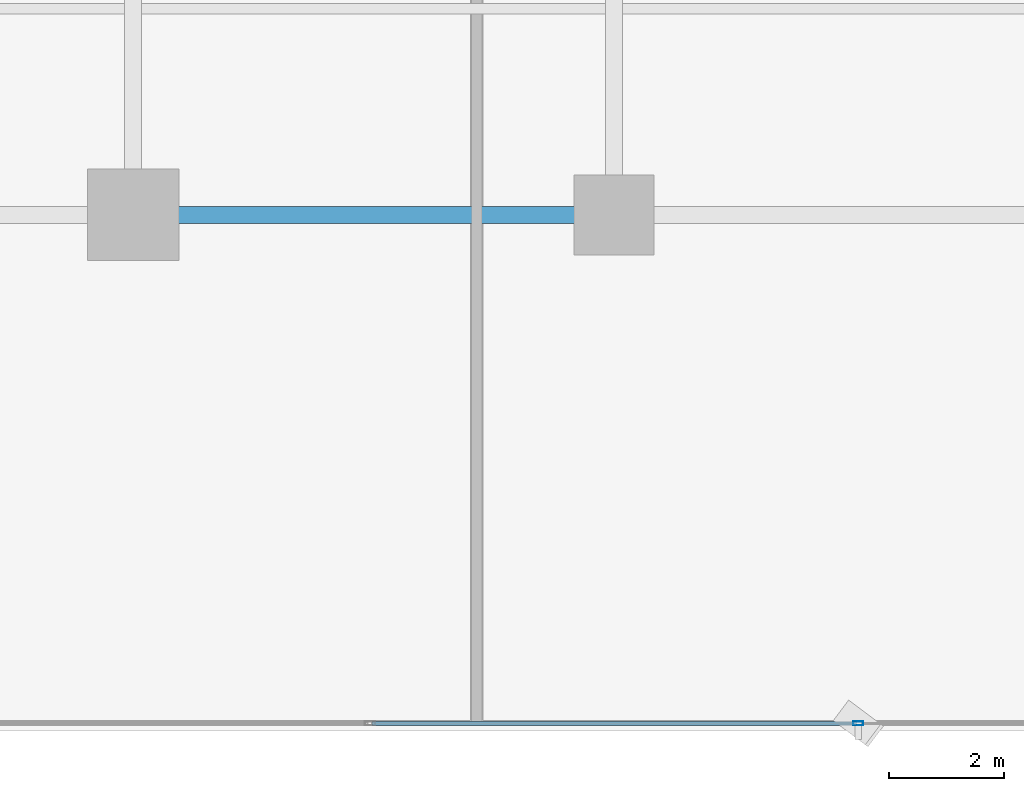
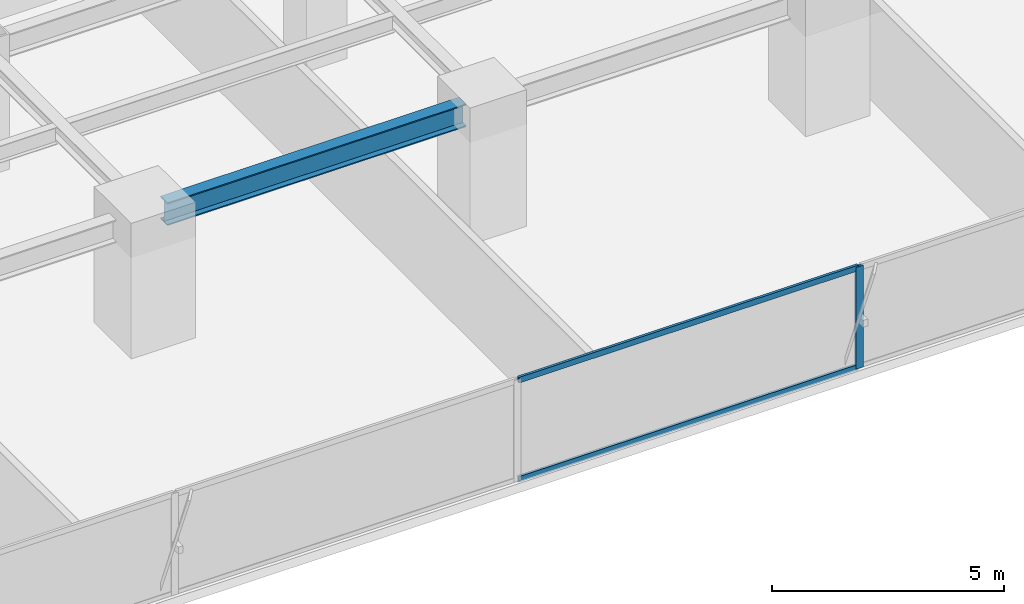
# One storey, part 5 of 33: 3 members, 1 beam, 1 element without a shape of its own.
"""IFC4 building model written with IfcOpenShell, lengths in metres."""

from ifc_helpers import new_model, si_unit, direction, frame, origin, origin_2d, place, context, subcontext, project, spatial, hollow_rectangle, i_section, extrude, source, transform, mapped, material, layer, layer_set, material_profile, profile_set, type_object, element, aggregate, save


model = new_model("IFC4")

# Units and contexts
model_context = context("Model", 3, precision=1e-05, world=origin(), true_north=direction((0.0, 1.0)))
body_context = subcontext(model_context, "Body", "Model", "MODEL_VIEW")
ifc_project = project(units=[si_unit("LENGTHUNIT", "METRE"), si_unit("AREAUNIT", "SQUARE_METRE"), si_unit("VOLUMEUNIT", "CUBIC_METRE"), si_unit("PLANEANGLEUNIT", "RADIAN"), si_unit("MASSUNIT", "GRAM", prefix="KILO")], contexts=[model_context])

# Site, building, storey
site_placement = place(None, origin())
site = spatial("IfcSite", under=ifc_project, at=site_placement, CompositionType="ELEMENT")
building_placement = place(site_placement, origin())
building = spatial("IfcBuilding", under=site, at=building_placement, Name="Sumidabori Civic Tower", CompositionType="ELEMENT")
storey_placement = place(building_placement, frame((0.0, 0.0, 66.800048828125)))
storey = spatial("IfcBuildingStorey", under=building, at=storey_placement, Name="L17", CompositionType="ELEMENT", Elevation=66.800048828125)

# Beam
ifc_material_1 = material(Name="Steel SN490", Category="steel")
ifc_material_profile_1 = material_profile(ifc_material_1, i_section(OverallWidth=0.300048828125, OverallDepth=0.60009765625, WebThickness=0.015380859375, FlangeThickness=0.030029296875, at=origin_2d()), Name="HE 600 B")
ifc_profile_set_1 = profile_set([ifc_material_profile_1], Name="Steel SN490")
beam_type = type_object("IfcBeamType", Name="BM-GIRD-600", PredefinedType="BEAM", material=ifc_profile_set_1)
shared_shape_1 = source(origin(), body_context, "Body", "SweptSolid", [
    extrude(i_section(OverallWidth=0.300048828125, OverallDepth=0.60009765625, WebThickness=0.015380859375, FlangeThickness=0.030029296875, at=origin_2d()), origin(), (0.0, 0.0, 1.0), 7.43994140625),
])
beam_placement = place(storey_placement, frame((-7.919921875, -18.0, 3.0), z_axis=(1.0, 0.0, 0.0), x_axis=(0.0, 1.0, 0.0)))
element("IfcBeam", 1, at=beam_placement, inside=storey, type_object=beam_type, Name="Primary Girder L17 GX-03", PredefinedType="BEAM", context=body_context, shape_type="MappedRepresentation", body=[
    mapped(shared_shape_1, transform((0.0, 0.0, 0.0), x_axis=(1.0, 0.0, 0.0), y_axis=(0.0, 1.0, 0.0), z_axis=(0.0, 0.0, 1.0), scale=1.0)),
])

# Curtain wall, members
ifc_material_2 = material(Name="Anodised Bronze Aluminium AW-6063-T6", Category="aluminium")
ifc_layer = layer(ifc_material_2, 0.179931640625, Name="Anodised Bronze Aluminium AW-6063-T6")
ifc_layer_set = layer_set([ifc_layer], Name="Anodised Bronze Aluminium AW-6063-T6")
curtain_wall_type = type_object("IfcCurtainWallType", Name="CW-SYS-2", PredefinedType="NOTDEFINED", material=ifc_layer_set)
curtain_wall_placement = place(storey_placement, origin())
curtain_wall = element("IfcCurtainWall", 2, at=curtain_wall_placement, inside=storey, type_object=curtain_wall_type, Name="Curtain Wall CW:L17:R01", PredefinedType="NOTDEFINED")
ifc_material_profile_2 = material_profile(ifc_material_2, hollow_rectangle(XDim=0.06494140625, YDim=0.14990234375, WallThickness=0.0048828125, at=origin_2d()), Name="ALU TRANSOM 150x65")
ifc_profile_set_2 = profile_set([ifc_material_profile_2], Name="Anodised Bronze Aluminium AW-6063-T6")
member_type_1 = type_object("IfcMemberType", Name="CW-TRN-150", PredefinedType="USERDEFINED", material=ifc_profile_set_2)
shared_shape_2 = source(origin(), body_context, "Body", "SweptSolid", [
    extrude(hollow_rectangle(XDim=0.06494140625, YDim=0.14990234375, WallThickness=0.0048828125, at=origin_2d()), origin(), (0.0, 0.0, 1.0), 8.4580078125),
])
member_1_placement = place(storey_placement, frame((-4.22900390625, -26.8798828125, 0.032470703125), z_axis=(1.0, 0.0, 0.0), x_axis=(0.0, 1.0, 0.0)))
member_1 = element("IfcMember", 3, at=member_1_placement, type_object=member_type_1, Name="CW-2 transom 3.1", ObjectType="TRANSOM", PredefinedType="USERDEFINED", context=body_context, shape_type="MappedRepresentation", body=[
    mapped(shared_shape_2, transform((0.0, 0.0, 0.0), x_axis=(1.0, 0.0, 0.0), y_axis=(0.0, 1.0, 0.0), z_axis=(0.0, 0.0, 1.0), scale=1.0)),
])
member_2_placement = place(storey_placement, frame((-4.22900390625, -26.8798828125, 2.6474609375), z_axis=(1.0, 0.0, 0.0), x_axis=(0.0, 1.0, 0.0)))
member_2 = element("IfcMember", 4, at=member_2_placement, type_object=member_type_1, Name="CW-2 transom 3.2", ObjectType="TRANSOM", PredefinedType="USERDEFINED", context=body_context, shape_type="MappedRepresentation", body=[
    mapped(shared_shape_2, transform((0.0, 0.0, 0.0), x_axis=(1.0, 0.0, 0.0), y_axis=(0.0, 1.0, 0.0), z_axis=(0.0, 0.0, 1.0), scale=1.0)),
])
ifc_material_profile_3 = material_profile(ifc_material_2, hollow_rectangle(XDim=0.070068359375, YDim=0.179931640625, WallThickness=0.006103515625, at=origin_2d()), Name="ALU MULLION 180x70")
ifc_profile_set_3 = profile_set([ifc_material_profile_3], Name="Anodised Bronze Aluminium AW-6063-T6")
member_type_2 = type_object("IfcMemberType", Name="CW-MUL-180", PredefinedType="MULLION", material=ifc_profile_set_3)
shared_shape_3 = source(origin(), body_context, "Body", "SweptSolid", [
    extrude(hollow_rectangle(XDim=0.070068359375, YDim=0.179931640625, WallThickness=0.006103515625, at=origin_2d()), origin(), (0.0, 0.0, 1.0), 2.679931640625),
])
member_3_placement = place(storey_placement, frame((4.263916015625, -26.8798828125, 0.0), z_axis=(0.0, 0.0, 1.0), x_axis=(0.0, 1.0, 0.0)))
member_3 = element("IfcMember", 5, at=member_3_placement, type_object=member_type_2, Name="CW-2 mullion 4", PredefinedType="MULLION", context=body_context, shape_type="MappedRepresentation", body=[
    mapped(shared_shape_3, transform((0.0, 0.0, 0.0), x_axis=(1.0, 0.0, 0.0), y_axis=(0.0, 1.0, 0.0), z_axis=(0.0, 0.0, 1.0), scale=1.0)),
])
aggregate(curtain_wall, [member_3, member_1, member_2])

save(model, "model.ifc")
